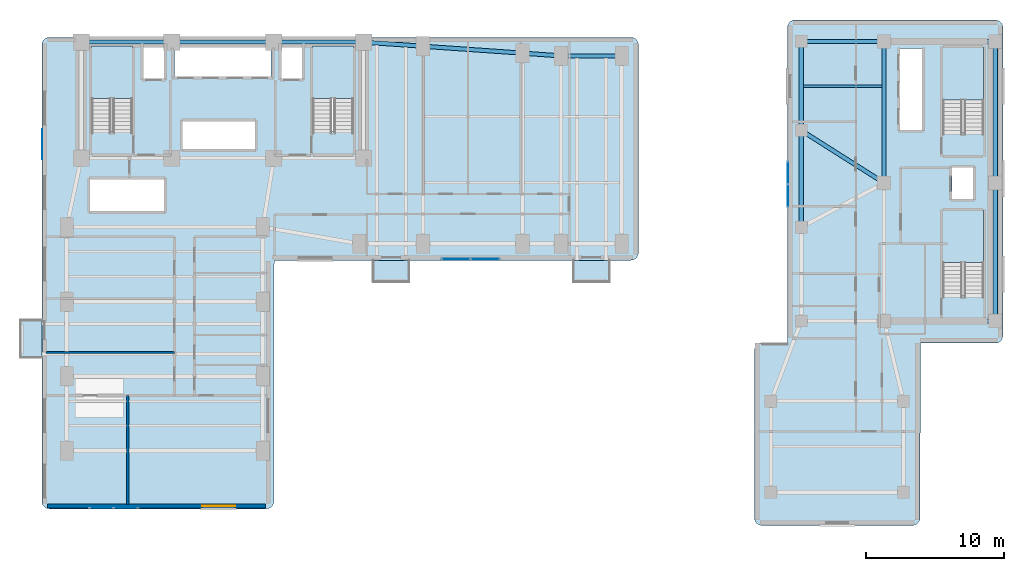
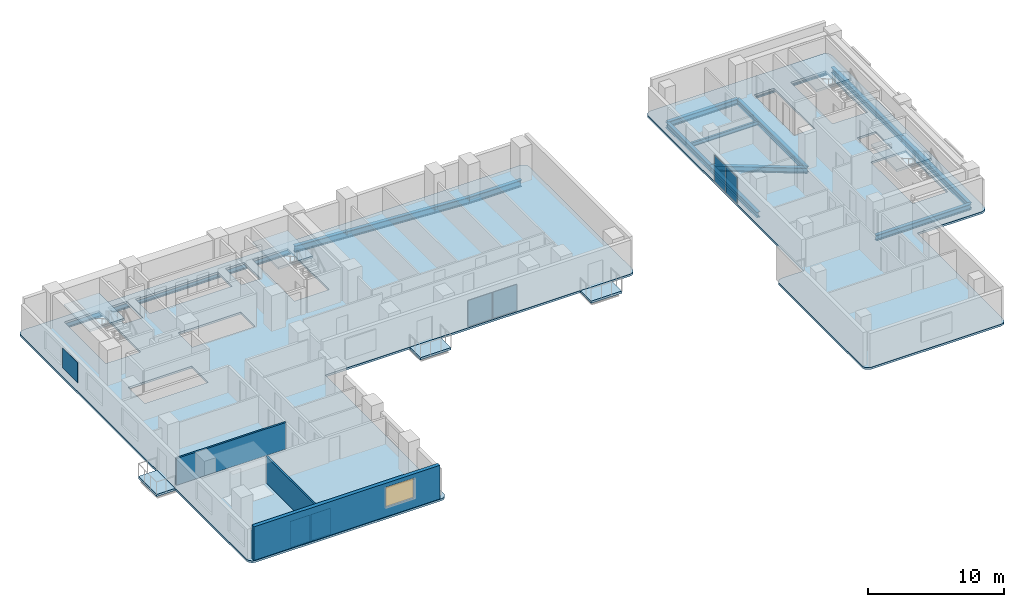
# One storey, part 9 of 17: 17 beams, 9 slabs, 7 plates, 3 walls, 1 window, 1 opening, 7 elements without a shape of their own.
"""IFC4 building model written with IfcOpenShell, lengths in metres."""

from ifc_helpers import new_model, si_unit, direction, frame, frame_2d, origin, origin_2d, place, context, subcontext, project, spatial, polyline, rectangle, i_section, outline, extrude, material, layer, layer_set, material_profile, profile_set, type_object, element, fill, aggregate, save


model = new_model("IFC4")

# Units and contexts
model_context = context("Model", 3, precision=1e-05, world=origin(), true_north=direction((0.0, 1.0)))
body_context = subcontext(model_context, "Body", "Model", "MODEL_VIEW")
ifc_project = project(units=[si_unit("LENGTHUNIT", "METRE"), si_unit("AREAUNIT", "SQUARE_METRE"), si_unit("VOLUMEUNIT", "CUBIC_METRE"), si_unit("PLANEANGLEUNIT", "RADIAN"), si_unit("MASSUNIT", "GRAM", prefix="KILO")], contexts=[model_context])

# Site, building, storey
site_placement = place(None, origin())
site = spatial("IfcSite", under=ifc_project, at=site_placement, CompositionType="ELEMENT")
building_placement = place(site_placement, origin())
building = spatial("IfcBuilding", under=site, at=building_placement, Name="Kuzgunbayir Cultural Tower", CompositionType="ELEMENT")
storey_placement = place(building_placement, frame((0.0, 0.0, 56.39990234375)))
storey = spatial("IfcBuildingStorey", under=building, at=storey_placement, Name="L15", CompositionType="ELEMENT", Elevation=56.39990234375)

# Beams
ifc_material_1 = material(Name="Steel S355J2", Category="steel")
ifc_material_profile_1 = material_profile(ifc_material_1, i_section(OverallWidth=0.300048828125, OverallDepth=0.5, WebThickness=0.014404296875, FlangeThickness=0.028076171875, FilletRadius=0.027099609375, at=origin_2d()), Name="HEB 500")
ifc_profile_set_1 = profile_set([ifc_material_profile_1], Name="Steel S355J2")
beam_type_1 = type_object("IfcBeamType", Name="BM-EXT-HEB500", PredefinedType="BEAM", material=ifc_profile_set_1)
beam_1_placement = place(storey_placement, frame((58.60009765625, 28.800048828125, -0.429931640625), z_axis=(0.0, 1.0, 0.0), x_axis=(-1.0, 0.0, 0.0)))
element("IfcBeam", 1, at=beam_1_placement, inside=storey, type_object=beam_type_1, Name="L15 Companion West Girder", PredefinedType="BEAM", context=body_context, shape_type="SweptSolid", body=[
    extrude(i_section(OverallWidth=0.300048828125, OverallDepth=0.5, WebThickness=0.014404296875, FlangeThickness=0.028076171875, FilletRadius=0.027099609375, at=origin_2d()), origin(), (0.0, 0.0, 1.0), 7.0),
])
beam_2_placement = place(storey_placement, frame((58.60009765625, 35.800048828125, -0.429931640625), z_axis=(0.0, 1.0, 0.0), x_axis=(-1.0, 0.0, 0.0)))
element("IfcBeam", 2, at=beam_2_placement, inside=storey, type_object=beam_type_1, Name="L15 Companion West Girder", PredefinedType="BEAM", context=body_context, shape_type="SweptSolid", body=[
    extrude(i_section(OverallWidth=0.300048828125, OverallDepth=0.5, WebThickness=0.014404296875, FlangeThickness=0.028076171875, FilletRadius=0.027099609375, at=origin_2d()), origin(), (0.0, 0.0, 1.0), 6.449951171875),
])
ifc_material_profile_2 = material_profile(ifc_material_1, i_section(OverallWidth=0.300048828125, OverallDepth=0.60009765625, WebThickness=0.015380859375, FlangeThickness=0.030029296875, FilletRadius=0.027099609375, at=origin_2d()), Name="HEB 600")
ifc_profile_set_2 = profile_set([ifc_material_profile_2], Name="Steel S355J2")
beam_type_2 = type_object("IfcBeamType", Name="BM-EXT-HEB600", PredefinedType="BEAM", material=ifc_profile_set_2)
beam_3_placement = place(storey_placement, frame((26.89990234375, 42.199951171875, -0.47998046875), z_axis=(0.997574369175, -0.069608749203, 0.0), x_axis=(0.069608749203, 0.997574369175, 0.0)))
element("IfcBeam", 3, at=beam_3_placement, inside=storey, type_object=beam_type_2, Name="L15 Wing B North Girder 1", PredefinedType="BEAM", context=body_context, shape_type="SweptSolid", body=[
    extrude(i_section(OverallWidth=0.300048828125, OverallDepth=0.60009765625, WebThickness=0.015380859375, FlangeThickness=0.030029296875, FilletRadius=0.027099609375, at=origin_2d()), origin(), (0.0, 0.0, 1.0), 4.310546875),
])
beam_4_placement = place(storey_placement, frame((31.199951171875, 41.89990234375, -0.47998046875), z_axis=(0.997597388498, -0.069278066245, 0.0), x_axis=(0.069278066245, 0.997597388498, 0.0)))
element("IfcBeam", 4, at=beam_4_placement, inside=storey, type_object=beam_type_2, Name="L15 Wing B North Girder 2", PredefinedType="BEAM", context=body_context, shape_type="SweptSolid", body=[
    extrude(i_section(OverallWidth=0.300048828125, OverallDepth=0.60009765625, WebThickness=0.015380859375, FlangeThickness=0.030029296875, FilletRadius=0.027099609375, at=origin_2d()), origin(), (0.0, 0.0, 1.0), 7.21728515625),
])
beam_5_placement = place(storey_placement, frame((38.39990234375, 41.39990234375, -0.47998046875), z_axis=(0.997460024076, -0.071228508128, 0.0), x_axis=(0.071228508128, 0.997460024076, 0.0)))
element("IfcBeam", 5, at=beam_5_placement, inside=storey, type_object=beam_type_2, Name="L15 Wing B North Girder 3", PredefinedType="BEAM", context=body_context, shape_type="SweptSolid", body=[
    extrude(i_section(OverallWidth=0.300048828125, OverallDepth=0.60009765625, WebThickness=0.015380859375, FlangeThickness=0.030029296875, FilletRadius=0.027099609375, at=origin_2d()), origin(), (0.0, 0.0, 1.0), 2.80712890625),
])
beam_6_placement = place(storey_placement, frame((41.199951171875, 41.199951171875, -0.47998046875), z_axis=(1.0, 0.0, 0.0), x_axis=(0.0, 1.0, 0.0)))
element("IfcBeam", 6, at=beam_6_placement, inside=storey, type_object=beam_type_2, Name="L15 Wing B North Girder 4", PredefinedType="BEAM", context=body_context, shape_type="SweptSolid", body=[
    extrude(i_section(OverallWidth=0.300048828125, OverallDepth=0.60009765625, WebThickness=0.015380859375, FlangeThickness=0.030029296875, FilletRadius=0.027099609375, at=origin_2d()), origin(), (0.0, 0.0, 1.0), 4.400146484375),
])
ifc_material_profile_3 = material_profile(ifc_material_1, i_section(OverallWidth=0.300048828125, OverallDepth=0.5, WebThickness=0.014404296875, FlangeThickness=0.028076171875, FilletRadius=0.027099609375, at=origin_2d()), Name="HEB 500")
ifc_profile_set_3 = profile_set([ifc_material_profile_3], Name="Steel S355J2")
beam_type_3 = type_object("IfcBeamType", Name="BM-GIR-HEB500", PredefinedType="BEAM", material=ifc_profile_set_3)
beam_7_placement = place(storey_placement, frame((58.60009765625, 35.800048828125, -0.429931640625), z_axis=(0.844815967829, -0.535056988088, 0.0), x_axis=(0.535056988088, 0.844815967829, 0.0)))
element("IfcBeam", 7, at=beam_7_placement, inside=storey, type_object=beam_type_3, Name="L15 Companion Transverse Girder 3", PredefinedType="BEAM", context=body_context, shape_type="SweptSolid", body=[
    extrude(i_section(OverallWidth=0.300048828125, OverallDepth=0.5, WebThickness=0.014404296875, FlangeThickness=0.028076171875, FilletRadius=0.027099609375, at=origin_2d()), origin(), (0.0, 0.0, 1.0), 7.10205078125),
])
beam_8_placement = place(storey_placement, frame((58.60009765625, 42.25, -0.429931640625), z_axis=(1.0, 0.0, 0.0), x_axis=(0.0, 1.0, 0.0)))
element("IfcBeam", 8, at=beam_8_placement, inside=storey, type_object=beam_type_3, Name="L15 Companion Transverse Girder 4", PredefinedType="BEAM", context=body_context, shape_type="SweptSolid", body=[
    extrude(i_section(OverallWidth=0.300048828125, OverallDepth=0.5, WebThickness=0.014404296875, FlangeThickness=0.028076171875, FilletRadius=0.027099609375, at=origin_2d()), origin(), (0.0, 0.0, 1.0), 6.0),
])
beam_9_placement = place(storey_placement, frame((64.60009765625, 32.0, -0.429931640625), z_axis=(0.0, 1.0, 0.0), x_axis=(-1.0, 0.0, 0.0)))
element("IfcBeam", 9, at=beam_9_placement, inside=storey, type_object=beam_type_3, Name="L15 Companion Core West Girder 2", PredefinedType="BEAM", context=body_context, shape_type="SweptSolid", body=[
    extrude(i_section(OverallWidth=0.300048828125, OverallDepth=0.5, WebThickness=0.014404296875, FlangeThickness=0.028076171875, FilletRadius=0.027099609375, at=origin_2d()), origin(), (0.0, 0.0, 1.0), 10.25),
])
beam_10_placement = place(storey_placement, frame((72.64990234375, 22.0, -0.429931640625), z_axis=(0.0, 1.0, 0.0), x_axis=(-1.0, 0.0, 0.0)))
element("IfcBeam", 10, at=beam_10_placement, inside=storey, type_object=beam_type_3, Name="L15 Companion Core East Girder 1", PredefinedType="BEAM", context=body_context, shape_type="SweptSolid", body=[
    extrude(i_section(OverallWidth=0.300048828125, OverallDepth=0.5, WebThickness=0.014404296875, FlangeThickness=0.028076171875, FilletRadius=0.027099609375, at=origin_2d()), origin(), (0.0, 0.0, 1.0), 10.0),
])
beam_11_placement = place(storey_placement, frame((72.64990234375, 32.0, -0.429931640625), z_axis=(0.0, 1.0, 0.0), x_axis=(-1.0, 0.0, 0.0)))
element("IfcBeam", 11, at=beam_11_placement, inside=storey, type_object=beam_type_3, Name="L15 Companion Core East Girder 2", PredefinedType="BEAM", context=body_context, shape_type="SweptSolid", body=[
    extrude(i_section(OverallWidth=0.300048828125, OverallDepth=0.5, WebThickness=0.014404296875, FlangeThickness=0.028076171875, FilletRadius=0.027099609375, at=origin_2d()), origin(), (0.0, 0.0, 1.0), 10.25),
])
for number, where, z_axis, x_axis, name in (
    (12, (64.60009765625, 22.0, -0.429931640625), (1.0, 0.0, 0.0), (0.0, 1.0, 0.0), "L15 Companion Core South Girder"),
    (13, (64.60009765625, 42.25, -0.429931640625), (1.0, 0.0, 0.0), (0.0, 1.0, 0.0), "L15 Companion Core North Girder"),
):
    element("IfcBeam", number, at=place(storey_placement, frame(where, z_axis=z_axis, x_axis=x_axis)), inside=storey, type_object=beam_type_3, Name=name, PredefinedType="BEAM", context=body_context, shape_type="SweptSolid", body=[
        extrude(i_section(OverallWidth=0.300048828125, OverallDepth=0.5, WebThickness=0.014404296875, FlangeThickness=0.028076171875, FilletRadius=0.027099609375, at=origin_2d()), origin(), (0.0, 0.0, 1.0), 8.0498046875),
    ])
ifc_material_profile_4 = material_profile(ifc_material_1, i_section(OverallWidth=0.300048828125, OverallDepth=0.60009765625, WebThickness=0.015380859375, FlangeThickness=0.030029296875, FilletRadius=0.027099609375, at=origin_2d()), Name="HEB 600")
ifc_profile_set_4 = profile_set([ifc_material_profile_4], Name="Steel S355J2")
beam_type_4 = type_object("IfcBeamType", Name="BM-GIR-HEB600", PredefinedType="BEAM", material=ifc_profile_set_4)
beam_12_placement = place(storey_placement, frame((6.449951171875, 42.199951171875, -0.47998046875), z_axis=(1.0, 0.0, 0.0), x_axis=(0.0, 1.0, 0.0)))
element("IfcBeam", 14, at=beam_12_placement, inside=storey, type_object=beam_type_4, Name="L15 Core North Girder 1", PredefinedType="BEAM", context=body_context, shape_type="SweptSolid", body=[
    extrude(i_section(OverallWidth=0.300048828125, OverallDepth=0.60009765625, WebThickness=0.015380859375, FlangeThickness=0.030029296875, FilletRadius=0.027099609375, at=origin_2d()), origin(), (0.0, 0.0, 1.0), 6.550048828125),
])
beam_13_placement = place(storey_placement, frame((13.0, 42.199951171875, -0.47998046875), z_axis=(1.0, 0.0, 0.0), x_axis=(0.0, 1.0, 0.0)))
element("IfcBeam", 15, at=beam_13_placement, inside=storey, type_object=beam_type_4, Name="L15 Core North Girder 2", PredefinedType="BEAM", context=body_context, shape_type="SweptSolid", body=[
    extrude(i_section(OverallWidth=0.300048828125, OverallDepth=0.60009765625, WebThickness=0.015380859375, FlangeThickness=0.030029296875, FilletRadius=0.027099609375, at=origin_2d()), origin(), (0.0, 0.0, 1.0), 7.39990234375),
])
beam_14_placement = place(storey_placement, frame((20.39990234375, 42.199951171875, -0.47998046875), z_axis=(1.0, 0.0, 0.0), x_axis=(0.0, 1.0, 0.0)))
element("IfcBeam", 16, at=beam_14_placement, inside=storey, type_object=beam_type_4, Name="L15 Core North Girder 3", PredefinedType="BEAM", context=body_context, shape_type="SweptSolid", body=[
    extrude(i_section(OverallWidth=0.300048828125, OverallDepth=0.60009765625, WebThickness=0.015380859375, FlangeThickness=0.030029296875, FilletRadius=0.027099609375, at=origin_2d()), origin(), (0.0, 0.0, 1.0), 6.5),
])
ifc_material_profile_5 = material_profile(ifc_material_1, i_section(OverallWidth=0.169921875, OverallDepth=0.360107421875, WebThickness=0.008056640625, FlangeThickness=0.0126953125, FilletRadius=0.01806640625, at=origin_2d()), Name="IPE 360")
ifc_profile_set_5 = profile_set([ifc_material_profile_5], Name="Steel S355J2")
beam_type_5 = type_object("IfcBeamType", Name="BM-JST-IPE360", PredefinedType="JOIST", material=ifc_profile_set_5)
beam_15_placement = place(storey_placement, frame((58.75, 39.0, -0.35986328125), z_axis=(1.0, 0.0, 0.0), x_axis=(0.0, 1.0, 0.0)))
element("IfcBeam", 17, at=beam_15_placement, inside=storey, type_object=beam_type_5, Name="L15 Companion Joist", PredefinedType="JOIST", context=body_context, shape_type="SweptSolid", body=[
    extrude(i_section(OverallWidth=0.169921875, OverallDepth=0.360107421875, WebThickness=0.008056640625, FlangeThickness=0.0126953125, FilletRadius=0.01806640625, at=origin_2d()), origin(), (0.0, 0.0, 1.0), 5.699951171875),
])

# Curtain wall, plates
ifc_material_2 = material(Name="Anodised Aluminium Framing", Category="aluminium")
curtain_wall_type_1 = type_object("IfcCurtainWallType", Name="CW03-T1-OFFICE", PredefinedType="NOTDEFINED", material=ifc_material_2)
curtain_wall_1_placement = place(storey_placement, origin())
curtain_wall_1 = element("IfcCurtainWall", 18, at=curtain_wall_1_placement, inside=storey, type_object=curtain_wall_type_1, Name="L15 Wing A South Feature Curtain Wall", PredefinedType="NOTDEFINED")
ifc_material_3 = material(Name="Solar-Control Triple Glazing", Category="glass")
ifc_layer_1 = layer(ifc_material_3, 0.035888671875)
ifc_layer_set_1 = layer_set([ifc_layer_1], Name="Solar-Control Triple Glazing")
plate_type_1 = type_object("IfcPlateType", Name="PLT-CW-GLASS-36", PredefinedType="CURTAIN_PANEL", material=ifc_layer_set_1)
plate_1_placement = place(storey_placement, frame((7.918701171875, 8.47998046875, 0.06005859375), z_axis=(0.0, 0.0, 1.0), x_axis=(1.0, 0.0, 0.0)))
plate_1 = element("IfcPlate", 19, at=plate_1_placement, type_object=plate_type_1, Name="CW03 panel 1.1", PredefinedType="CURTAIN_PANEL", context=body_context, shape_type="SweptSolid", body=[
    extrude(rectangle(XDim=1.6875, YDim=0.035888671875, at=origin_2d()), origin(), (0.0, 0.0, 1.0), 2.35009765625),
])
plate_2_placement = place(storey_placement, frame((9.68115234375, 8.47998046875, 0.06005859375), z_axis=(0.0, 0.0, 1.0), x_axis=(1.0, 0.0, 0.0)))
plate_2 = element("IfcPlate", 20, at=plate_2_placement, type_object=plate_type_1, Name="CW03 panel 2.1", PredefinedType="CURTAIN_PANEL", context=body_context, shape_type="SweptSolid", body=[
    extrude(rectangle(XDim=1.6875, YDim=0.035888671875, at=origin_2d()), origin(), (0.0, 0.0, 1.0), 2.35009765625),
])
aggregate(curtain_wall_1, [plate_1, plate_2])

curtain_wall_2_placement = place(storey_placement, origin())
curtain_wall_2 = element("IfcCurtainWall", 21, at=curtain_wall_2_placement, inside=storey, type_object=curtain_wall_type_1, Name="L15 Wing B South Feature Curtain Wall", PredefinedType="NOTDEFINED")
plate_3_placement = place(storey_placement, frame((33.59375, 26.47998046875, 0.06005859375), z_axis=(0.0, 0.0, 1.0), x_axis=(1.0, 0.0, 0.0)))
plate_3 = element("IfcPlate", 22, at=plate_3_placement, type_object=plate_type_1, Name="CW03 panel 1.1", PredefinedType="CURTAIN_PANEL", context=body_context, shape_type="SweptSolid", body=[
    extrude(rectangle(XDim=2.03759765625, YDim=0.035888671875, at=origin_2d()), origin(), (0.0, 0.0, 1.0), 2.35009765625),
])
plate_4_placement = place(storey_placement, frame((35.706298828125, 26.47998046875, 0.06005859375), z_axis=(0.0, 0.0, 1.0), x_axis=(1.0, 0.0, 0.0)))
plate_4 = element("IfcPlate", 23, at=plate_4_placement, type_object=plate_type_1, Name="CW03 panel 2.1", PredefinedType="CURTAIN_PANEL", context=body_context, shape_type="SweptSolid", body=[
    extrude(rectangle(XDim=2.03759765625, YDim=0.035888671875, at=origin_2d()), origin(), (0.0, 0.0, 1.0), 2.35009765625),
])
aggregate(curtain_wall_2, [plate_3, plate_4])

curtain_wall_type_2 = type_object("IfcCurtainWallType", Name="CW04-T2-CULTURAL", PredefinedType="NOTDEFINED", material=ifc_material_2)
curtain_wall_3_placement = place(storey_placement, origin())
curtain_wall_3 = element("IfcCurtainWall", 24, at=curtain_wall_3_placement, inside=storey, type_object=curtain_wall_type_2, Name="L15 Companion Cultural Curtain Wall", PredefinedType="NOTDEFINED")
plate_5_placement = place(storey_placement, frame((57.6201171875, 31.06494140625, 0.06005859375), z_axis=(0.0, 0.0, 1.0), x_axis=(0.0, 1.0, 0.0)))
plate_5 = element("IfcPlate", 25, at=plate_5_placement, type_object=plate_type_1, Name="CW04 panel 1.1", PredefinedType="CURTAIN_PANEL", context=body_context, shape_type="SweptSolid", body=[
    extrude(rectangle(XDim=1.610107421875, YDim=0.035888671875, at=origin_2d()), origin(), (0.0, 0.0, 1.0), 2.35009765625),
])
plate_6_placement = place(storey_placement, frame((57.6201171875, 32.735107421875, 0.06005859375), z_axis=(0.0, 0.0, 1.0), x_axis=(0.0, 1.0, 0.0)))
plate_6 = element("IfcPlate", 26, at=plate_6_placement, type_object=plate_type_1, Name="CW04 panel 2.1", PredefinedType="CURTAIN_PANEL", context=body_context, shape_type="SweptSolid", body=[
    extrude(rectangle(XDim=1.610107421875, YDim=0.035888671875, at=origin_2d()), origin(), (0.0, 0.0, 1.0), 2.35009765625),
])
aggregate(curtain_wall_3, [plate_5, plate_6])

# Plate
ifc_material_4 = material(Name="Perforated Bronze-Anodised Aluminium", Category="aluminium")
ifc_layer_2 = layer(ifc_material_4, 0.02392578125)
ifc_layer_set_2 = layer_set([ifc_layer_2], Name="Perforated Bronze-Anodised Aluminium")
plate_type_2 = type_object("IfcPlateType", Name="PLT-SOLAR-SCREEN-14", PredefinedType="SHEET", material=ifc_layer_set_2)
plate_7_placement = place(storey_placement, frame((3.6298828125, 34.800048828125, 0.75), z_axis=(0.0, 0.0, 1.0), x_axis=(1.0, 0.0, 0.0)))
element("IfcPlate", 27, at=plate_7_placement, inside=storey, type_object=plate_type_2, Name="L15 Tower 1 Perforated Ceramic Solar Screen Panel", PredefinedType="SHEET", context=body_context, shape_type="SweptSolid", body=[
    extrude(rectangle(XDim=0.02392578125, YDim=2.199951171875, at=origin_2d()), origin(), (0.0, 0.0, 1.0), 1.800048828125),
])

# Slabs
ifc_material_5 = material(Name="Concrete C40/50", Category="concrete")
ifc_layer_3 = layer(ifc_material_5, 0.199951171875)
ifc_layer_set_3 = layer_set([ifc_layer_3], Name="Concrete C40/50")
slab_type_1 = type_object("IfcSlabType", Name="SLB-BAL-STONE", PredefinedType="FLOOR", material=ifc_layer_set_3)
slab_1_placement = place(storey_placement, frame((0.0, 0.0, -0.199951171875)))
element("IfcSlab", 28, at=slab_1_placement, inside=storey, type_object=slab_type_1, Name="L15 Projecting Limestone Balcony BAL-L15-WA2", PredefinedType="FLOOR", context=body_context, shape_type="SweptSolid", body=[
    extrude(outline(polyline([(2.0400390625, 19.35009765625), (3.60009765625, 19.35009765625), (3.60009765625, 22.050048828125), (2.0400390625, 22.050048828125), (2.0400390625, 19.35009765625)])), origin(), (0.0, 0.0, 1.0), 0.199951171875),
])
slab_2_placement = place(storey_placement, frame((0.0, 0.0, -0.199951171875)))
element("IfcSlab", 29, at=slab_2_placement, inside=storey, type_object=slab_type_1, Name="L15 Projecting Limestone Balcony BAL-L15-WB1", PredefinedType="FLOOR", context=body_context, shape_type="SweptSolid", body=[
    extrude(outline(polyline([(27.60009765625, 24.840087890625), (30.199951171875, 24.840087890625), (30.199951171875, 26.39990234375), (27.60009765625, 26.39990234375), (27.60009765625, 24.840087890625)])), origin(), (0.0, 0.0, 1.0), 0.199951171875),
])
slab_3_placement = place(storey_placement, frame((0.0, 0.0, -0.199951171875)))
element("IfcSlab", 30, at=slab_3_placement, inside=storey, type_object=slab_type_1, Name="L15 Projecting Limestone Balcony BAL-L15-WB3", PredefinedType="FLOOR", context=body_context, shape_type="SweptSolid", body=[
    extrude(outline(polyline([(42.10009765625, 24.840087890625), (44.699951171875, 24.840087890625), (44.699951171875, 26.39990234375), (42.10009765625, 26.39990234375), (42.10009765625, 24.840087890625)])), origin(), (0.0, 0.0, 1.0), 0.199951171875),
])

# Stair, slab
stair_type = type_object("IfcStairType", Name="STR-EXIT-CORE", PredefinedType="HALF_TURN_STAIR", material=ifc_material_5)
stair_1_placement = place(storey_placement, origin())
stair_1 = element("IfcStair", 31, at=stair_1_placement, inside=storey, type_object=stair_type, Name="L15 ST-1", PredefinedType="HALF_TURN_STAIR")
ifc_layer_4 = layer(ifc_material_5, 0.179931640625)
ifc_layer_set_4 = layer_set([ifc_layer_4], Name="Concrete C40/50")
slab_type_2 = type_object("IfcSlabType", Name="SLB-LANDING-180", PredefinedType="LANDING", material=ifc_layer_set_4)
slab_4_placement = place(storey_placement, frame((0.0, 0.0, 1.400146484375)))
slab_4 = element("IfcSlab", 32, at=slab_4_placement, type_object=slab_type_2, Name="ST-1 landing 1", PredefinedType="LANDING", context=body_context, shape_type="SweptSolid", body=[
    extrude(outline(polyline([(10.159912109375, 38.1201171875), (10.159912109375, 41.89990234375), (7.199951171875, 41.89990234375), (7.199951171875, 38.1201171875), (10.159912109375, 38.1201171875)])), origin(), (0.0, 0.0, 1.0), 0.199951171875),
])
aggregate(stair_1, [slab_4])

stair_2_placement = place(storey_placement, origin())
stair_2 = element("IfcStair", 33, at=stair_2_placement, inside=storey, type_object=stair_type, Name="L15 ST-2", PredefinedType="HALF_TURN_STAIR")
slab_5_placement = place(storey_placement, frame((0.0, 0.0, 1.400146484375)))
slab_5 = element("IfcSlab", 34, at=slab_5_placement, type_object=slab_type_2, Name="ST-2 landing 1", PredefinedType="LANDING", context=body_context, shape_type="SweptSolid", body=[
    extrude(outline(polyline([(26.159912109375, 38.1201171875), (26.159912109375, 41.89990234375), (23.199951171875, 41.89990234375), (23.199951171875, 38.1201171875), (26.159912109375, 38.1201171875)])), origin(), (0.0, 0.0, 1.0), 0.199951171875),
])
aggregate(stair_2, [slab_5])

stair_3_placement = place(storey_placement, origin())
stair_3 = element("IfcStair", 35, at=stair_3_placement, inside=storey, type_object=stair_type, Name="L15 ST-3", PredefinedType="HALF_TURN_STAIR")
slab_6_placement = place(storey_placement, frame((0.0, 0.0, 1.400146484375)))
slab_6 = element("IfcSlab", 36, at=slab_6_placement, type_object=slab_type_2, Name="ST-3 landing 1", PredefinedType="LANDING", context=body_context, shape_type="SweptSolid", body=[
    extrude(outline(polyline([(71.800048828125, 26.219970703125), (71.800048828125, 30.0), (68.840087890625, 30.0), (68.840087890625, 26.219970703125), (71.800048828125, 26.219970703125)])), origin(), (0.0, 0.0, 1.0), 0.199951171875),
])
aggregate(stair_3, [slab_6])

stair_4_placement = place(storey_placement, origin())
stair_4 = element("IfcStair", 37, at=stair_4_placement, inside=storey, type_object=stair_type, Name="L15 ST-4", PredefinedType="HALF_TURN_STAIR")
slab_7_placement = place(storey_placement, frame((0.0, 0.0, 1.400146484375)))
slab_7 = element("IfcSlab", 38, at=slab_7_placement, type_object=slab_type_2, Name="ST-4 landing 1", PredefinedType="LANDING", context=body_context, shape_type="SweptSolid", body=[
    extrude(outline(polyline([(71.800048828125, 38.02001953125), (71.800048828125, 41.800048828125), (68.840087890625, 41.800048828125), (68.840087890625, 38.02001953125), (71.800048828125, 38.02001953125)])), origin(), (0.0, 0.0, 1.0), 0.199951171875),
])
aggregate(stair_4, [slab_7])

# Slabs
ifc_layer_5 = layer(ifc_material_5, 0.179931640625)
ifc_layer_set_5 = layer_set([ifc_layer_5], Name="Concrete C40/50")
slab_type_3 = type_object("IfcSlabType", Name="SLB-TYP-180", PredefinedType="FLOOR", material=ifc_layer_set_5)
slab_8_placement = place(storey_placement, frame((0.0, 0.0, -0.179931640625)))
element("IfcSlab", 39, at=slab_8_placement, inside=storey, type_object=slab_type_3, Name="L15 Tower 1 Floor Slab T1-MAIN", PredefinedType="FLOOR", context=body_context, shape_type="SweptSolid", body=[
    extrude(outline(polyline([(20.39990234375, 8.949951171875), (20.389892578125, 8.840087890625), (20.360107421875, 8.739990234375), (20.31005859375, 8.639892578125), (20.239990234375, 8.56005859375), (20.159912109375, 8.489990234375), (20.06005859375, 8.43994140625), (19.9599609375, 8.409912109375), (19.85009765625, 8.39990234375), (4.14990234375, 8.39990234375), (4.0400390625, 8.409912109375), (3.93994140625, 8.43994140625), (3.840087890625, 8.489990234375), (3.760009765625, 8.56005859375), (3.68994140625, 8.639892578125), (3.639892578125, 8.739990234375), (3.610107421875, 8.840087890625), (3.60009765625, 8.949951171875), (3.60009765625, 42.0), (3.610107421875, 42.110107421875), (3.639892578125, 42.2099609375), (3.68994140625, 42.31005859375), (3.760009765625, 42.389892578125), (3.840087890625, 42.4599609375), (3.93994140625, 42.510009765625), (4.0400390625, 42.5400390625), (4.14990234375, 42.550048828125), (46.25, 42.550048828125), (46.360107421875, 42.5400390625), (46.4599609375, 42.510009765625), (46.56005859375, 42.4599609375), (46.639892578125, 42.389892578125), (46.7099609375, 42.31005859375), (46.760009765625, 42.2099609375), (46.7900390625, 42.110107421875), (46.800048828125, 42.0), (46.800048828125, 26.949951171875), (46.7900390625, 26.840087890625), (46.760009765625, 26.739990234375), (46.7099609375, 26.639892578125), (46.639892578125, 26.56005859375), (46.56005859375, 26.489990234375), (46.4599609375, 26.43994140625), (46.360107421875, 26.409912109375), (46.25, 26.39990234375), (20.429931640625, 26.39990234375), (20.39990234375, 8.949951171875)]), holes=[polyline([(7.199951171875, 35.760009765625), (7.199951171875, 41.89990234375), (10.159912109375, 41.89990234375), (10.159912109375, 35.760009765625), (7.199951171875, 35.760009765625)]), polyline([(23.199951171875, 35.760009765625), (23.199951171875, 41.89990234375), (26.159912109375, 41.89990234375), (26.159912109375, 35.760009765625), (23.199951171875, 35.760009765625)]), polyline([(13.199951171875, 39.699951171875), (13.199951171875, 41.800048828125), (20.199951171875, 41.800048828125), (20.199951171875, 39.699951171875), (13.199951171875, 39.699951171875)]), polyline([(13.75, 34.39990234375), (13.75, 36.5), (19.080078125, 36.5), (19.080078125, 34.39990234375), (13.75, 34.39990234375)]), polyline([(7.10009765625, 29.89990234375), (7.10009765625, 32.300048828125), (12.5, 32.300048828125), (12.5, 29.89990234375), (7.10009765625, 29.89990234375)]), polyline([(10.89990234375, 39.5), (10.89990234375, 41.89990234375), (12.5, 41.89990234375), (12.5, 39.5), (10.89990234375, 39.5)]), polyline([(20.89990234375, 39.5), (20.89990234375, 41.89990234375), (22.5, 41.89990234375), (22.5, 39.5), (20.89990234375, 39.5)])]), origin(), (0.0, 0.0, 1.0), 0.179931640625),
])
slab_9_placement = place(storey_placement, frame((0.0, 0.0, -0.179931640625)))
element("IfcSlab", 40, at=slab_9_placement, inside=storey, type_object=slab_type_3, Name="L15 Companion Tower 2 Floor Slab", PredefinedType="FLOOR", context=body_context, shape_type="SweptSolid", body=[
    extrude(outline(polyline([(57.60009765625, 20.39990234375), (57.60009765625, 43.25), (57.610107421875, 43.360107421875), (57.639892578125, 43.4599609375), (57.68994140625, 43.56005859375), (57.760009765625, 43.639892578125), (57.840087890625, 43.7099609375), (57.93994140625, 43.760009765625), (58.0400390625, 43.7900390625), (58.14990234375, 43.800048828125), (72.64990234375, 43.800048828125), (72.760009765625, 43.7900390625), (72.860107421875, 43.760009765625), (72.9599609375, 43.7099609375), (73.0400390625, 43.639892578125), (73.110107421875, 43.56005859375), (73.159912109375, 43.4599609375), (73.18994140625, 43.360107421875), (73.199951171875, 43.25), (73.199951171875, 20.949951171875), (73.18994140625, 20.840087890625), (73.159912109375, 20.739990234375), (73.110107421875, 20.639892578125), (73.0400390625, 20.56005859375), (72.9599609375, 20.489990234375), (72.860107421875, 20.43994140625), (72.760009765625, 20.409912109375), (72.64990234375, 20.39990234375), (67.22998046875, 20.39990234375), (67.199951171875, 7.75), (67.18994140625, 7.639892578125), (67.159912109375, 7.5400390625), (67.110107421875, 7.43994140625), (67.0400390625, 7.360107421875), (66.9599609375, 7.2900390625), (66.860107421875, 7.239990234375), (66.760009765625, 7.2099609375), (66.64990234375, 7.199951171875), (55.75, 7.199951171875), (55.639892578125, 7.2099609375), (55.5400390625, 7.239990234375), (55.43994140625, 7.2900390625), (55.360107421875, 7.360107421875), (55.2900390625, 7.43994140625), (55.239990234375, 7.5400390625), (55.2099609375, 7.639892578125), (55.199951171875, 7.75), (55.199951171875, 19.85009765625), (55.2099609375, 19.9599609375), (55.239990234375, 20.06005859375), (55.2900390625, 20.159912109375), (55.360107421875, 20.239990234375), (55.43994140625, 20.31005859375), (55.5400390625, 20.360107421875), (55.639892578125, 20.389892578125), (55.75, 20.39990234375), (57.570068359375, 20.39990234375), (57.60009765625, 20.39990234375)]), holes=[polyline([(68.840087890625, 23.860107421875), (68.840087890625, 30.0), (71.800048828125, 30.0), (71.800048828125, 23.860107421875), (68.840087890625, 23.860107421875)]), polyline([(68.840087890625, 35.659912109375), (68.840087890625, 41.800048828125), (71.800048828125, 41.800048828125), (71.800048828125, 35.659912109375), (68.840087890625, 35.659912109375)]), polyline([(65.699951171875, 35.800048828125), (65.699951171875, 41.75), (67.39990234375, 41.75), (67.39990234375, 35.800048828125), (65.699951171875, 35.800048828125)]), polyline([(69.5, 30.800048828125), (69.5, 33.199951171875), (71.10009765625, 33.199951171875), (71.10009765625, 30.800048828125), (69.5, 30.800048828125)])]), origin(), (0.0, 0.0, 1.0), 0.179931640625),
])

# Wall, opening, window
ifc_material_6 = material(Name="Travertine Buff Ashlar", Category="masonry")
ifc_layer_6 = layer(ifc_material_6, 0.320068359375)
ifc_layer_set_6 = layer_set([ifc_layer_6], Name="Travertine Buff Ashlar")
wall_type_1 = type_object("IfcWallType", Name="WAL-EXT-STONE-320", PredefinedType="STANDARD", material=ifc_layer_set_6)
wall_1_placement = place(storey_placement, frame((4.0, 8.60009765625, 0.0), z_axis=(0.0, 0.0, 1.0), x_axis=(1.0, 0.0, 0.0)))
wall_1 = element("IfcWall", 41, at=wall_1_placement, inside=storey, type_object=wall_type_1, Name="L15 Wing A South Limestone Wall", PredefinedType="STANDARD", context=body_context, shape_type="SweptSolid", body=[
    extrude(rectangle(XDim=15.800048828125, YDim=0.320068359375, at=frame_2d((7.89990234375, 0.0))), origin(), (0.0, 0.0, 1.0), 3.02001953125),
])
opening_placement = place(wall_1_placement, frame((11.199951171875, 0.0, 0.85009765625)))
opening = element("IfcOpeningElement", 42, at=opening_placement, cuts=wall_1, Name="Opening WO-24", PredefinedType="OPENING", context=body_context, shape_type="SweptSolid", body=[
    extrude(rectangle(XDim=2.39990234375, YDim=1.800048828125, at=frame_2d((1.199951171875, 0.89990234375))), frame((0.0, 0.169921875, 0.0), z_axis=(0.0, -1.0, 0.0), x_axis=(1.0, 0.0, 0.0)), (0.0, 0.0, 1.0), 0.340087890625),
])
window_type = type_object("IfcWindowType", Name="WIN-OFFICE-24", PartitioningType="SINGLE_PANEL", PredefinedType="WINDOW", material=ifc_material_3)
window_placement = place(opening_placement, origin())
window = element("IfcWindow", 43, at=window_placement, inside=storey, type_object=window_type, Name="L15 WAS Facade Window 7", OverallHeight=1.800048828125, OverallWidth=2.39990234375, PartitioningType="SINGLE_PANEL", PredefinedType="WINDOW", context=body_context, shape_type="SweptSolid", body=[
    extrude(rectangle(XDim=2.39990234375, YDim=1.800048828125, at=frame_2d((1.199951171875, 0.89990234375))), frame((0.0, 0.030029296875, 0.0), z_axis=(0.0, -1.0, 0.0), x_axis=(1.0, 0.0, 0.0)), (0.0, 0.0, 1.0), 0.06005859375),
])
fill(opening, window)

# Walls
ifc_material_7 = material(Name="Acoustic Double-Stud Drywall", Category="gypsum")
ifc_layer_7 = layer(ifc_material_7, 0.14990234375)
ifc_layer_set_7 = layer_set([ifc_layer_7], Name="Acoustic Double-Stud Drywall")
wall_type_2 = type_object("IfcWallType", Name="WAL-PART-ACOUSTIC-150", PredefinedType="PARTITIONING", material=ifc_layer_set_7)
wall_2_placement = place(storey_placement, frame((3.89990234375, 19.7099609375, 0.0), z_axis=(0.0, 0.0, 1.0), x_axis=(1.0, 0.0, 0.0)))
element("IfcWall", 44, at=wall_2_placement, inside=storey, type_object=wall_type_2, Name="L15 West Suite Partition 1", PredefinedType="PARTITIONING", context=body_context, shape_type="SweptSolid", body=[
    extrude(rectangle(XDim=9.300048828125, YDim=0.14990234375, at=frame_2d((4.64990234375, 0.0))), origin(), (0.0, 0.0, 1.0), 2.400146484375),
])
wall_3_placement = place(storey_placement, frame((9.820068359375, 8.699951171875, 0.0), z_axis=(0.0, 0.0, 1.0), x_axis=(0.0, 1.0, 0.0)))
element("IfcWall", 45, at=wall_3_placement, inside=storey, type_object=wall_type_2, Name="L15 South Suite Divider 1", PredefinedType="PARTITIONING", context=body_context, shape_type="SweptSolid", body=[
    extrude(rectangle(XDim=7.900146484375, YDim=0.14990234375, at=frame_2d((3.9501953125, 0.0))), origin(), (0.0, 0.0, 1.0), 2.400146484375),
])

save(model, "model.ifc")
